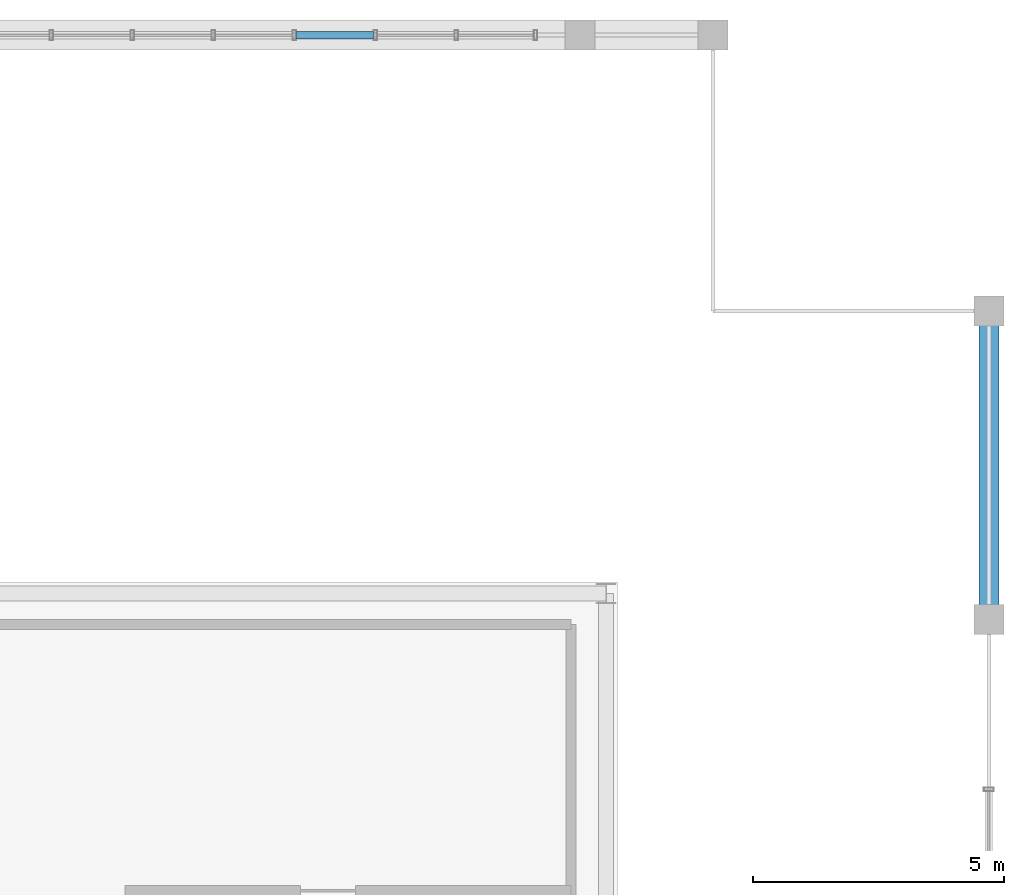
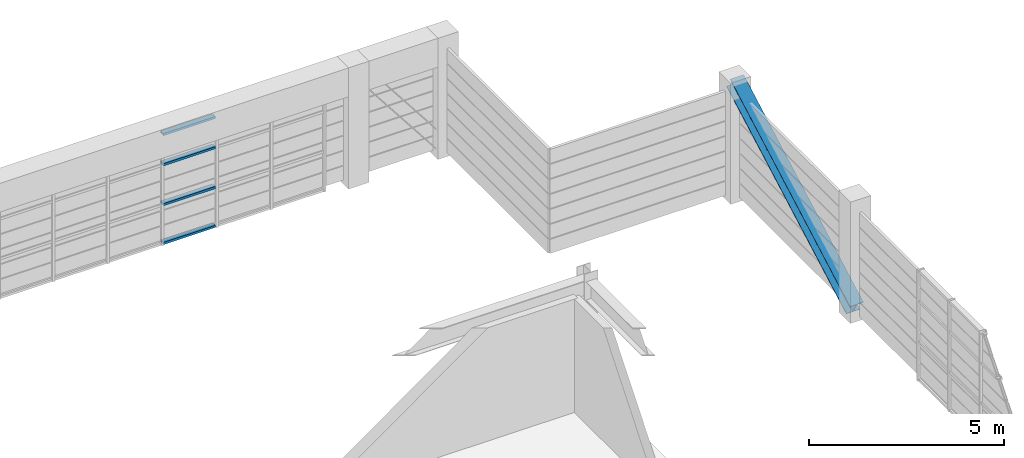
# One storey, part 14 of 21: 5 members, 1 element without a shape of its own.
"""IFC4 building model written with IfcOpenShell, lengths in metres."""

from ifc_helpers import new_model, si_unit, direction, frame, origin, origin_2d, place, context, subcontext, project, spatial, hollow_rectangle, i_section, extrude, source, transform, mapped, material, layer, layer_set, material_profile, profile_set, type_object, element, aggregate, save


model = new_model("IFC4")

# Units and contexts
model_context = context("Model", 3, precision=1e-05, world=origin(), true_north=direction((0.0, 1.0)))
body_context = subcontext(model_context, "Body", "Model", "MODEL_VIEW")
ifc_project = project(units=[si_unit("LENGTHUNIT", "METRE"), si_unit("AREAUNIT", "SQUARE_METRE"), si_unit("VOLUMEUNIT", "CUBIC_METRE"), si_unit("PLANEANGLEUNIT", "RADIAN"), si_unit("MASSUNIT", "GRAM", prefix="KILO")], contexts=[model_context])

# Site, building, storey
site_placement = place(None, origin())
site = spatial("IfcSite", under=ifc_project, at=site_placement, CompositionType="ELEMENT")
building_placement = place(site_placement, origin())
building = spatial("IfcBuilding", under=site, at=building_placement, Name="Saelheon Loggia Tower", CompositionType="ELEMENT")
storey_placement = place(building_placement, frame((0.0, 0.0, 267.39990234375)))
storey = spatial("IfcBuildingStorey", under=building, at=storey_placement, Name="CR5", CompositionType="ELEMENT", Elevation=267.39990234375)

# Member
ifc_material_1 = material(Name="Steel SM355", Category="steel")
ifc_material_profile_1 = material_profile(ifc_material_1, i_section(OverallWidth=0.39990234375, OverallDepth=0.39990234375, WebThickness=0.012939453125, FlangeThickness=0.02099609375, at=origin_2d()), Name="H-400x400x13x21")
ifc_profile_set_1 = profile_set([ifc_material_profile_1], Name="Steel SM355")
member_type_1 = type_object("IfcMemberType", Name="CrownFrame_Brace_H400", PredefinedType="BRACE", material=ifc_profile_set_1)
shared_shape_1 = source(origin(), body_context, "Body", "SweptSolid", [
    extrude(i_section(OverallWidth=0.39990234375, OverallDepth=0.39990234375, WebThickness=0.012939453125, FlangeThickness=0.02099609375, at=origin_2d()), origin(), (0.0, 0.0, 1.0), 7.027099609375),
])
member_1_placement = place(storey_placement, frame((52.64990234375, 36.0, 0.2001953125), z_axis=(0.0, 0.875164888097, 0.48382478093), x_axis=(-1.0, 0.0, 0.0)))
element("IfcMember", 1, at=member_1_placement, inside=storey, type_object=member_type_1, Name="CR5 CROWN FRAME Wind Brace 04", PredefinedType="BRACE", context=body_context, shape_type="MappedRepresentation", body=[
    mapped(shared_shape_1, transform((0.0, 0.0, 0.0), scale=1.0)),
])

# Curtain wall, members
ifc_material_2 = material(Name="Bronze-Anodised Aluminium and Fritted Ceramic Screen", Category="aluminium")
ifc_layer = layer(ifc_material_2, 0.219970703125)
ifc_layer_set = layer_set([ifc_layer], Name="Bronze-Anodised Aluminium and Fritted Ceramic Screen")
curtain_wall_type = type_object("IfcCurtainWallType", Name="CW_CrownScreen", PredefinedType="NOTDEFINED", material=ifc_layer_set)
curtain_wall_placement = place(storey_placement, origin())
curtain_wall = element("IfcCurtainWall", 2, at=curtain_wall_placement, inside=storey, type_object=curtain_wall_type, Name="CR5 Crown Central Screen Curtain Wall 6", PredefinedType="NOTDEFINED")
ifc_material_3 = material(Name="Bronze-Anodised Aluminium 6063-T6", Category="aluminium")
ifc_material_profile_2 = material_profile(ifc_material_3, hollow_rectangle(XDim=0.070068359375, YDim=0.14990234375, WallThickness=0.0048828125, at=origin_2d()), Name="RHS-150x70x5")
ifc_profile_set_2 = profile_set([ifc_material_profile_2], Name="Bronze-Anodised Aluminium 6063-T6")
member_type_2 = type_object("IfcMemberType", Name="CW_CrownScreen_Transom", PredefinedType="USERDEFINED", material=ifc_profile_set_2)
shared_shape_2 = source(origin(), body_context, "Body", "SweptSolid", [
    extrude(hollow_rectangle(XDim=0.070068359375, YDim=0.14990234375, WallThickness=0.0048828125, at=origin_2d()), origin(), (0.0, 0.0, 1.0), 1.54443359375),
])
member_2_placement = place(storey_placement, frame((38.842041015625, 47.64990234375, 0.03515625), z_axis=(1.0, 0.0, 0.0), x_axis=(0.0, 0.0, 1.0)))
member_2 = element("IfcMember", 3, at=member_2_placement, type_object=member_type_2, Name="CW6 transom 5.1", ObjectType="TRANSOM", PredefinedType="USERDEFINED", context=body_context, shape_type="MappedRepresentation", body=[
    mapped(shared_shape_2, transform((0.0, 0.0, 0.0), scale=1.0)),
])
member_3_placement = place(storey_placement, frame((38.842041015625, 47.64990234375, 1.25), z_axis=(1.0, 0.0, 0.0), x_axis=(0.0, 0.0, 1.0)))
member_3 = element("IfcMember", 4, at=member_3_placement, type_object=member_type_2, Name="CW6 transom 5.2", ObjectType="TRANSOM", PredefinedType="USERDEFINED", context=body_context, shape_type="MappedRepresentation", body=[
    mapped(shared_shape_2, transform((0.0, 0.0, 0.0), scale=1.0)),
])
member_4_placement = place(storey_placement, frame((38.842041015625, 47.64990234375, 2.5), z_axis=(1.0, 0.0, 0.0), x_axis=(0.0, 0.0, 1.0)))
member_4 = element("IfcMember", 5, at=member_4_placement, type_object=member_type_2, Name="CW6 transom 5.3", ObjectType="TRANSOM", PredefinedType="USERDEFINED", context=body_context, shape_type="MappedRepresentation", body=[
    mapped(shared_shape_2, transform((0.0, 0.0, 0.0), scale=1.0)),
])
member_5_placement = place(storey_placement, frame((38.842041015625, 47.64990234375, 3.445068359375), z_axis=(1.0, 0.0, 0.0), x_axis=(0.0, 0.0, 1.0)))
member_5 = element("IfcMember", 6, at=member_5_placement, type_object=member_type_2, Name="CW6 transom 5.4", ObjectType="TRANSOM", PredefinedType="USERDEFINED", context=body_context, shape_type="MappedRepresentation", body=[
    mapped(shared_shape_2, transform((0.0, 0.0, 0.0), scale=1.0)),
])
aggregate(curtain_wall, [member_2, member_3, member_4, member_5])

save(model, "model.ifc")
